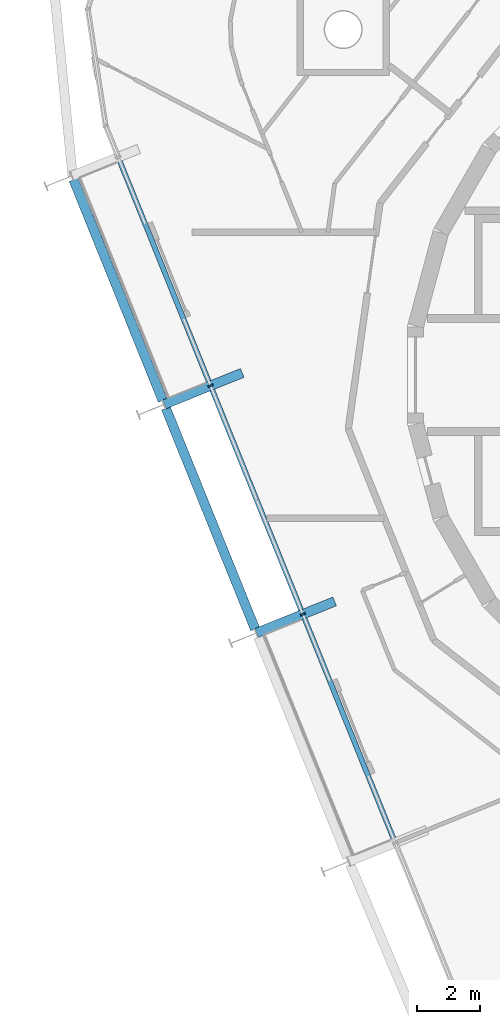
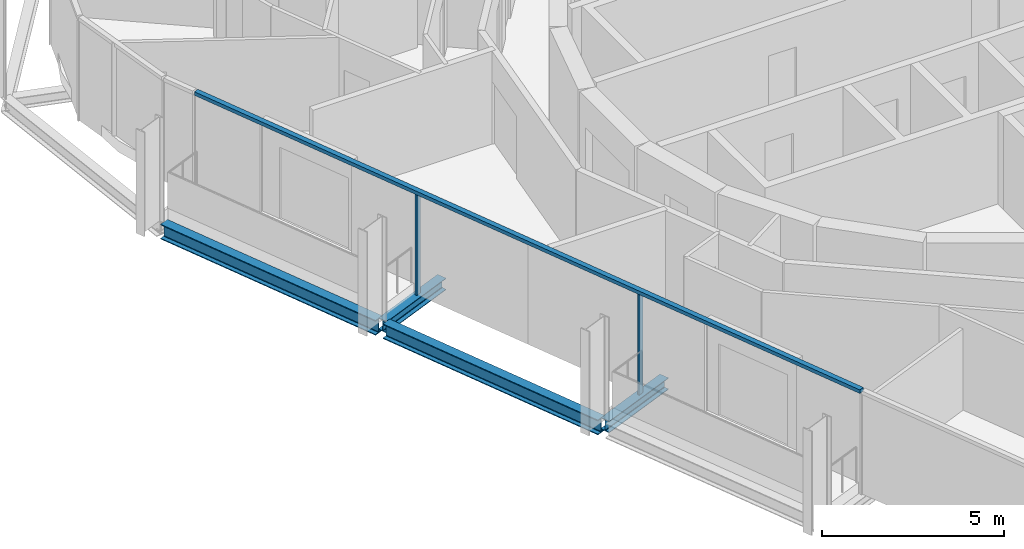
# One storey, part 3 of 15: 4 beams, 3 members, 1 element without a shape of its own.
"""IFC4 building model written with IfcOpenShell, lengths in metres."""

from ifc_helpers import new_model, si_unit, direction, frame, origin, origin_2d, place, context, subcontext, project, spatial, rectangle, i_section, extrude, material, layer, layer_set, material_profile, profile_set, type_object, element, aggregate, save


model = new_model("IFC4")

# Units and contexts
model_context = context("Model", 3, precision=1e-05, world=origin(), true_north=direction((0.0, 1.0)))
body_context = subcontext(model_context, "Body", "Model", "MODEL_VIEW")
ifc_project = project(units=[si_unit("LENGTHUNIT", "METRE"), si_unit("AREAUNIT", "SQUARE_METRE"), si_unit("VOLUMEUNIT", "CUBIC_METRE"), si_unit("PLANEANGLEUNIT", "RADIAN"), si_unit("MASSUNIT", "GRAM", prefix="KILO")], contexts=[model_context])

# Site, building, storey
site_placement = place(None, origin())
site = spatial("IfcSite", under=ifc_project, at=site_placement, CompositionType="ELEMENT")
building_placement = place(site_placement, origin())
building = spatial("IfcBuilding", under=site, at=building_placement, Name="Spindle Arch Residences", CompositionType="ELEMENT")
storey_placement = place(building_placement, frame((0.0, 0.0, 343.5)))
storey = spatial("IfcBuildingStorey", under=building, at=storey_placement, Name="L88", CompositionType="ELEMENT", Elevation=343.5)

# Curtain wall, members
ifc_material_1 = material(Name="Aluminium bronze unitised frame with tinted glass", Category="aluminium")
ifc_layer = layer(ifc_material_1, 0.159912109375)
ifc_layer_set = layer_set([ifc_layer], Name="CW-C typical residential unitised wall")
curtain_wall_type = type_object("IfcCurtainWallType", Name="CW-C typical residential unitised wall", PredefinedType="NOTDEFINED", material=ifc_layer_set)
curtain_wall_placement = place(storey_placement, origin())
curtain_wall = element("IfcCurtainWall", 1, at=curtain_wall_placement, inside=storey, type_object=curtain_wall_type, Name="CW-C L88 run 4", PredefinedType="NOTDEFINED")
ifc_material_2 = material(Name="Aluminium bronze anodised mullion", Category="aluminium")
ifc_material_profile_1 = material_profile(ifc_material_2, rectangle(XDim=0.159912109375, YDim=0.06005859375, at=origin_2d()), Name="MU 60x160")
ifc_profile_set_1 = profile_set([ifc_material_profile_1], Name="Aluminium bronze anodised mullion")
member_type_1 = type_object("IfcMemberType", Name="Bronze mullion 60x160", PredefinedType="MULLION", material=ifc_profile_set_1)
member_1_placement = place(storey_placement, frame((-18.110595703125, -0.337646484375, -0.3798828125), z_axis=(0.0, 0.0, 1.0), x_axis=(0.927183854567, 0.374606593416, 0.0)))
member_1 = element("IfcMember", 2, at=member_1_placement, type_object=member_type_1, Name="CW-C mullion 12", PredefinedType="MULLION", context=body_context, shape_type="SweptSolid", body=[
    extrude(rectangle(XDim=0.159912109375, YDim=0.06005859375, at=origin_2d()), origin(), (0.0, 0.0, 1.0), 3.3798828125),
])
member_2_placement = place(storey_placement, frame((-15.20166015625, -7.537841796875, -0.3798828125), z_axis=(0.0, 0.0, 1.0), x_axis=(0.927183854567, 0.374606593416, 0.0)))
member_2 = element("IfcMember", 3, at=member_2_placement, type_object=member_type_1, Name="CW-C mullion 13", PredefinedType="MULLION", context=body_context, shape_type="SweptSolid", body=[
    extrude(rectangle(XDim=0.159912109375, YDim=0.06005859375, at=origin_2d()), origin(), (0.0, 0.0, 1.0), 3.3798828125),
])
ifc_material_3 = material(Name="Aluminium bronze anodised transom", Category="aluminium")
ifc_material_profile_2 = material_profile(ifc_material_3, rectangle(XDim=0.159912109375, YDim=0.1201171875, at=origin_2d()), Name="TR 120x160")
ifc_profile_set_2 = profile_set([ifc_material_profile_2], Name="Aluminium bronze anodised transom")
member_type_2 = type_object("IfcMemberType", Name="Bronze transom 120x160", PredefinedType="USERDEFINED", material=ifc_profile_set_2)
member_3_placement = place(storey_placement, frame((-21.008544921875, 6.834716796875, 3.06005859375), z_axis=(0.374602019708, -0.927185702452, 0.0), x_axis=(0.927185702452, 0.374602019708, 0.0)))
member_3 = element("IfcMember", 4, at=member_3_placement, type_object=member_type_2, Name="CW-C transom 00", ObjectType="TRANSOM", PredefinedType="USERDEFINED", context=body_context, shape_type="SweptSolid", body=[
    extrude(rectangle(XDim=0.159912109375, YDim=0.1201171875, at=origin_2d()), origin(), (0.0, 0.0, 1.0), 23.23681640625),
])
aggregate(curtain_wall, [member_3, member_1, member_2])

# Beams
ifc_material_4 = material(Name="Steel S460ML, intumescent coating R 120", Category="steel")
ifc_material_profile_3 = material_profile(ifc_material_4, i_section(OverallWidth=0.300048828125, OverallDepth=0.5, WebThickness=0.014404296875, FlangeThickness=0.028076171875, FilletRadius=0.027099609375, at=origin_2d()), Name="HEB 500")
ifc_profile_set_3 = profile_set([ifc_material_profile_3], Name="Steel S460ML, intumescent coating R 120")
beam_type_1 = type_object("IfcBeamType", Name="Exoskeleton edge beam HEB 500", PredefinedType="BEAM", material=ifc_profile_set_3)
beam_1_placement = place(storey_placement, frame((-22.4267578125, 6.15380859375, -0.6298828125), z_axis=(0.374613092792, -0.927181228622, 0.0), x_axis=(0.927181228622, 0.374613092792, 0.0)))
element("IfcBeam", 5, at=beam_1_placement, inside=storey, type_object=beam_type_1, Name="Exoskeleton edge beam 12", PredefinedType="BEAM", context=body_context, shape_type="SweptSolid", body=[
    extrude(i_section(OverallWidth=0.300048828125, OverallDepth=0.5, WebThickness=0.014404296875, FlangeThickness=0.028076171875, FilletRadius=0.027099609375, at=origin_2d()), origin(), (0.0, 0.0, 1.0), 7.505859375),
])
beam_2_placement = place(storey_placement, frame((-19.517578125, -1.04638671875, -0.6298828125), z_axis=(0.374596427458, -0.927187961816, 0.0), x_axis=(0.927187961816, 0.374596427458, 0.0)))
element("IfcBeam", 6, at=beam_2_placement, inside=storey, type_object=beam_type_1, Name="Exoskeleton edge beam 13", PredefinedType="BEAM", context=body_context, shape_type="SweptSolid", body=[
    extrude(i_section(OverallWidth=0.300048828125, OverallDepth=0.5, WebThickness=0.014404296875, FlangeThickness=0.028076171875, FilletRadius=0.027099609375, at=origin_2d()), origin(), (0.0, 0.0, 1.0), 7.50537109375),
])
ifc_material_5 = material(Name="Steel S460ML, intumescent coating R 120", Category="steel")
ifc_material_profile_4 = material_profile(ifc_material_5, i_section(OverallWidth=0.300048828125, OverallDepth=0.389892578125, WebThickness=0.010986328125, FlangeThickness=0.01904296875, FilletRadius=0.027099609375, at=origin_2d()), Name="HEA 400")
ifc_profile_set_4 = profile_set([ifc_material_profile_4], Name="Steel S460ML, intumescent coating R 120")
beam_type_2 = type_object("IfcBeamType", Name="Floor outrigger HEA 400", PredefinedType="BEAM", material=ifc_profile_set_4)
beam_3_placement = place(storey_placement, frame((-19.56640625, -0.92578125, -0.574951171875), z_axis=(0.927187692393, 0.374597094323, 0.0), x_axis=(-0.374597094323, 0.927187692393, 0.0)))
element("IfcBeam", 7, at=beam_3_placement, inside=storey, type_object=beam_type_2, Name="Floor outrigger 13", PredefinedType="BEAM", context=body_context, shape_type="SweptSolid", body=[
    extrude(i_section(OverallWidth=0.300048828125, OverallDepth=0.389892578125, WebThickness=0.010986328125, FlangeThickness=0.01904296875, FilletRadius=0.027099609375, at=origin_2d()), origin(), (0.0, 0.0, 1.0), 2.64990234375),
])
beam_4_placement = place(storey_placement, frame((-16.657470703125, -8.1259765625, -0.574951171875), z_axis=(0.927200618573, 0.374565098372, 0.0), x_axis=(-0.374565098372, 0.927200618573, 0.0)))
element("IfcBeam", 8, at=beam_4_placement, inside=storey, type_object=beam_type_2, Name="Floor outrigger 14", PredefinedType="BEAM", context=body_context, shape_type="SweptSolid", body=[
    extrude(i_section(OverallWidth=0.300048828125, OverallDepth=0.389892578125, WebThickness=0.010986328125, FlangeThickness=0.01904296875, FilletRadius=0.027099609375, at=origin_2d()), origin(), (0.0, 0.0, 1.0), 2.650146484375),
])

save(model, "model.ifc")
